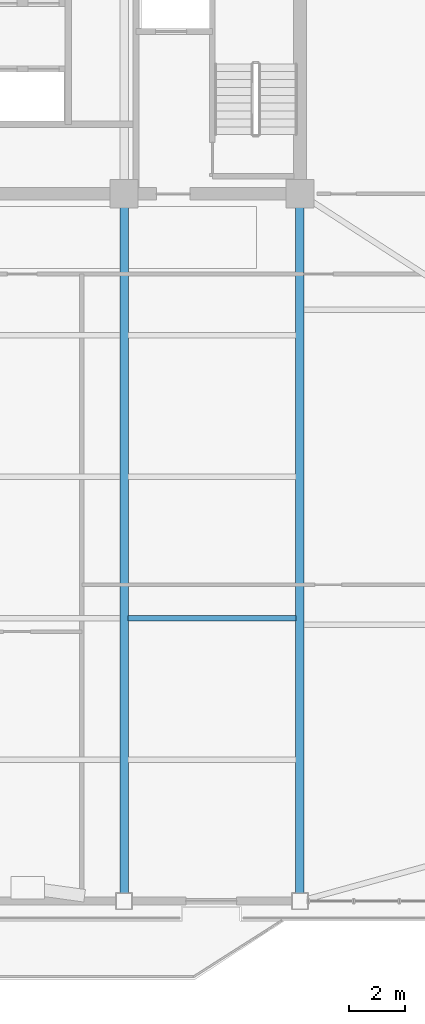
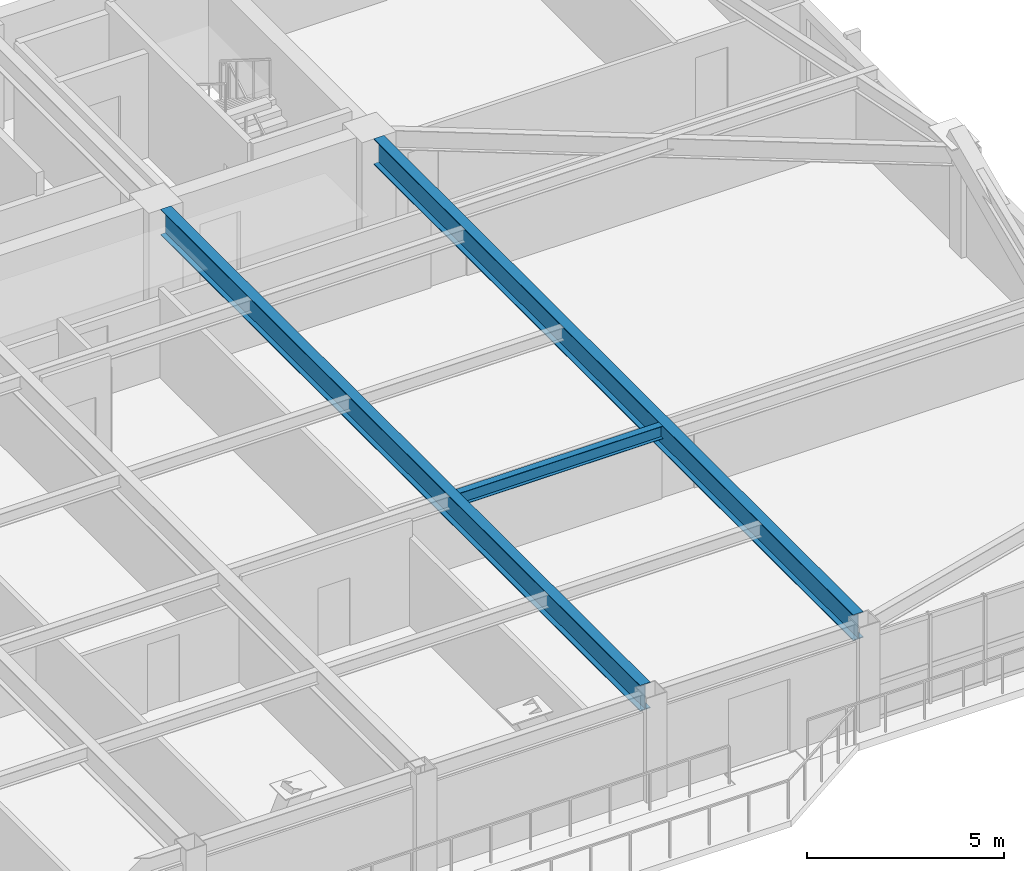
# One storey, part 5 of 17: 3 beams.
"""IFC4 building model written with IfcOpenShell, lengths in metres."""

from ifc_helpers import new_model, si_unit, direction, frame, origin, origin_2d, place, context, subcontext, project, spatial, i_section, extrude, source, transform, mapped, material, material_profile, profile_set, type_object, element, save


model = new_model("IFC4")

# Units and contexts
model_context = context("Model", 3, precision=1e-05, world=origin(), true_north=direction((0.0, 1.0)))
body_context = subcontext(model_context, "Body", "Model", "MODEL_VIEW")
ifc_project = project(units=[si_unit("LENGTHUNIT", "METRE"), si_unit("AREAUNIT", "SQUARE_METRE"), si_unit("VOLUMEUNIT", "CUBIC_METRE"), si_unit("PLANEANGLEUNIT", "RADIAN"), si_unit("MASSUNIT", "GRAM", prefix="KILO")], contexts=[model_context])

# Site, building, storey
site_placement = place(None, origin())
site = spatial("IfcSite", under=ifc_project, at=site_placement, CompositionType="ELEMENT")
building_placement = place(site_placement, origin())
building = spatial("IfcBuilding", under=site, at=building_placement, Name="Giltprow Tower", CompositionType="ELEMENT")
storey_placement = place(building_placement, frame((0.0, 0.0, 216.699951171875)))
storey = spatial("IfcBuildingStorey", under=building, at=storey_placement, Name="L55", CompositionType="ELEMENT", Elevation=216.699951171875)

# Beams
ifc_material = material(Name="Structural steel Q355B", Category="steel")
ifc_material_profile_1 = material_profile(ifc_material, i_section(OverallWidth=0.199951171875, OverallDepth=0.39990234375, WebThickness=0.008056640625, FlangeThickness=0.012939453125, at=origin_2d()), Name="HN 400x200x8x13")
ifc_profile_set_1 = profile_set([ifc_material_profile_1], Name="Structural steel Q355B")
beam_type_1 = type_object("IfcBeamType", Name="BM-JOIST-HN400", PredefinedType="JOIST", material=ifc_profile_set_1)
shared_shape_1 = source(origin(), body_context, "Body", "SweptSolid", [
    extrude(i_section(OverallWidth=0.199951171875, OverallDepth=0.39990234375, WebThickness=0.008056640625, FlangeThickness=0.012939453125, at=origin_2d()), origin(), (0.0, 0.0, 1.0), 5.9599609375),
])
beam_placement = place(storey_placement, frame((44.445068359375, 22.37109375, 3.0400390625), z_axis=(1.0, 0.0, 0.0), x_axis=(0.0, 1.0, 0.0)))
element("IfcBeam", 1, at=beam_placement, inside=storey, type_object=beam_type_1, Name="L55 Composite Floor Joist 2-4", PredefinedType="JOIST", context=body_context, shape_type="MappedRepresentation", body=[
    mapped(shared_shape_1, transform((0.0, 0.0, 0.0), x_axis=(1.0, 0.0, 0.0), y_axis=(0.0, 1.0, 0.0), z_axis=(0.0, 0.0, 1.0), scale=1.0)),
])
ifc_material_profile_2 = material_profile(ifc_material, i_section(OverallWidth=0.300048828125, OverallDepth=0.800048828125, WebThickness=0.013916015625, FlangeThickness=0.02587890625, at=origin_2d()), Name="HN 800x300x14x26")
ifc_profile_set_2 = profile_set([ifc_material_profile_2], Name="Structural steel Q355B")
beam_type_2 = type_object("IfcBeamType", Name="BM-GIRD-HN800", PredefinedType="BEAM", material=ifc_profile_set_2)
shared_shape_2 = source(origin(), body_context, "Body", "SweptSolid", [
    extrude(i_section(OverallWidth=0.300048828125, OverallDepth=0.800048828125, WebThickness=0.013916015625, FlangeThickness=0.02587890625, at=origin_2d()), origin(), (0.0, 0.0, 1.0), 24.362060546875),
])
for number, where, z_axis, x_axis, name in (
    (2, (44.300048828125, 12.60302734375, 2.840087890625), (0.0, 1.0, 0.0), (-1.0, 0.0, 0.0), "L55 Primary Lease Girder S3"),
    (3, (50.550048828125, 12.60302734375, 2.840087890625), (0.0, 1.0, 0.0), (-1.0, 0.0, 0.0), "L55 Primary Lease Girder S4"),
):
    element("IfcBeam", number, at=place(storey_placement, frame(where, z_axis=z_axis, x_axis=x_axis)), inside=storey, type_object=beam_type_2, Name=name, PredefinedType="BEAM", context=body_context, shape_type="MappedRepresentation", body=[
        mapped(shared_shape_2, transform((0.0, 0.0, 0.0), x_axis=(1.0, 0.0, 0.0), y_axis=(0.0, 1.0, 0.0), z_axis=(0.0, 0.0, 1.0), scale=1.0)),
    ])

save(model, "model.ifc")
